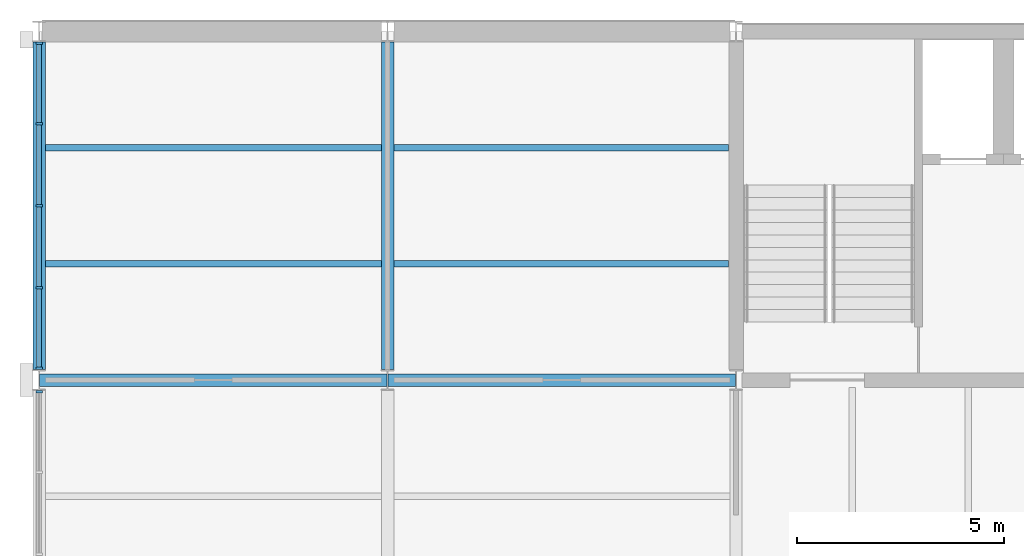
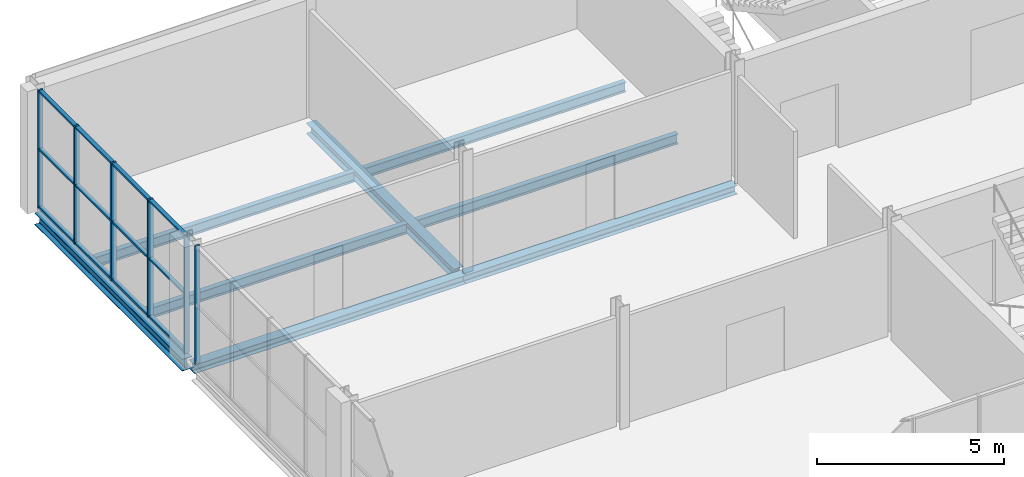
# One storey, part 5 of 12: 18 members, 8 beams, 2 elements without a shape of their own.
"""IFC4 building model written with IfcOpenShell, lengths in metres."""

from ifc_helpers import new_model, si_unit, direction, frame, origin, origin_2d, place, context, subcontext, project, spatial, rectangle, i_section, extrude, material, layer, layer_set, material_profile, profile_set, type_object, element, aggregate, save


model = new_model("IFC4")

# Units and contexts
model_context = context("Model", 3, precision=1e-05, world=origin(), true_north=direction((0.0, 1.0)))
body_context = subcontext(model_context, "Body", "Model", "MODEL_VIEW")
ifc_project = project(units=[si_unit("LENGTHUNIT", "METRE"), si_unit("AREAUNIT", "SQUARE_METRE"), si_unit("VOLUMEUNIT", "CUBIC_METRE"), si_unit("PLANEANGLEUNIT", "RADIAN"), si_unit("MASSUNIT", "GRAM", prefix="KILO")], contexts=[model_context])

# Site, building, storey
site_placement = place(None, origin())
site = spatial("IfcSite", under=ifc_project, at=site_placement, CompositionType="ELEMENT")
building_placement = place(site_placement, origin())
building = spatial("IfcBuilding", under=site, at=building_placement, Name="Galleria Vessillo Department Store", CompositionType="ELEMENT")
storey_placement = place(building_placement, frame((0.0, 0.0, 39.60009765625)))
storey = spatial("IfcBuildingStorey", under=building, at=storey_placement, Name="L08", CompositionType="ELEMENT", Elevation=39.60009765625)

# Curtain wall, member
ifc_material_1 = material(Name="Aluminium and glass curtain wall", Category="aluminium")
ifc_layer = layer(ifc_material_1, 0.159912109375)
ifc_layer_set = layer_set([ifc_layer], Name="Aluminium and glass curtain wall")
curtain_wall_type = type_object("IfcCurtainWallType", Name="Tower curtain wall CW4 2100 module", PredefinedType="NOTDEFINED", material=ifc_layer_set)
curtain_wall_1_placement = place(storey_placement, origin())
curtain_wall_1 = element("IfcCurtainWall", 1, at=curtain_wall_1_placement, inside=storey, type_object=curtain_wall_type, Name="Tower curtain wall CW4 2100 module TW-L08-02", PredefinedType="NOTDEFINED")
ifc_material_2 = material(Name="Aluminium alloy 6063 T6", Category="aluminium")
ifc_material_profile_1 = material_profile(ifc_material_2, rectangle(XDim=0.159912109375, YDim=0.06005859375, at=origin_2d()), Name="AL 60x160")
ifc_profile_set_1 = profile_set([ifc_material_profile_1], Name="Aluminium alloy 6063 T6")
member_type_1 = type_object("IfcMemberType", Name="Aluminium mullion 60 x 160", PredefinedType="MULLION", material=ifc_profile_set_1)
member_1_placement = place(storey_placement, frame((84.0, 54.320068359375, 0.0), z_axis=(0.0, 0.0, 1.0), x_axis=(-1.0, 0.0, 0.0)))
member_1 = element("IfcMember", 2, at=member_1_placement, type_object=member_type_1, Name="CW4 mullion 5", PredefinedType="MULLION", context=body_context, shape_type="SweptSolid", body=[
    extrude(rectangle(XDim=0.159912109375, YDim=0.06005859375, at=origin_2d()), origin(), (0.0, 0.0, 1.0), 3.85009765625),
])
aggregate(curtain_wall_1, [member_1])

# Curtain wall, members
curtain_wall_2_placement = place(storey_placement, origin())
curtain_wall_2 = element("IfcCurtainWall", 3, at=curtain_wall_2_placement, inside=storey, type_object=curtain_wall_type, Name="Tower curtain wall CW4 2100 module TW-L08-03", PredefinedType="NOTDEFINED")
member_2_placement = place(storey_placement, frame((84.0, 54.880126953125, 0.0), z_axis=(0.0, 0.0, 1.0), x_axis=(-1.0, 0.0, 0.0)))
member_2 = element("IfcMember", 4, at=member_2_placement, type_object=member_type_1, Name="CW4 mullion 1", PredefinedType="MULLION", context=body_context, shape_type="SweptSolid", body=[
    extrude(rectangle(XDim=0.159912109375, YDim=0.06005859375, at=origin_2d()), origin(), (0.0, 0.0, 1.0), 3.85009765625),
])
member_3_placement = place(storey_placement, frame((84.0, 56.824951171875, 0.0), z_axis=(0.0, 0.0, 1.0), x_axis=(-1.0, 0.0, 0.0)))
member_3 = element("IfcMember", 5, at=member_3_placement, type_object=member_type_1, Name="CW4 mullion 2", PredefinedType="MULLION", context=body_context, shape_type="SweptSolid", body=[
    extrude(rectangle(XDim=0.159912109375, YDim=0.06005859375, at=origin_2d()), origin(), (0.0, 0.0, 1.0), 3.85009765625),
])
member_4_placement = place(storey_placement, frame((84.0, 58.800048828125, 0.0), z_axis=(0.0, 0.0, 1.0), x_axis=(-1.0, 0.0, 0.0)))
member_4 = element("IfcMember", 6, at=member_4_placement, type_object=member_type_1, Name="CW4 mullion 3", PredefinedType="MULLION", context=body_context, shape_type="SweptSolid", body=[
    extrude(rectangle(XDim=0.159912109375, YDim=0.06005859375, at=origin_2d()), origin(), (0.0, 0.0, 1.0), 3.85009765625),
])
member_5_placement = place(storey_placement, frame((84.0, 60.77490234375, 0.0), z_axis=(0.0, 0.0, 1.0), x_axis=(-1.0, 0.0, 0.0)))
member_5 = element("IfcMember", 7, at=member_5_placement, type_object=member_type_1, Name="CW4 mullion 4", PredefinedType="MULLION", context=body_context, shape_type="SweptSolid", body=[
    extrude(rectangle(XDim=0.159912109375, YDim=0.06005859375, at=origin_2d()), origin(), (0.0, 0.0, 1.0), 3.85009765625),
])
member_6_placement = place(storey_placement, frame((84.0, 62.719970703125, 0.0), z_axis=(0.0, 0.0, 1.0), x_axis=(-1.0, 0.0, 0.0)))
member_6 = element("IfcMember", 8, at=member_6_placement, type_object=member_type_1, Name="CW4 mullion 5", PredefinedType="MULLION", context=body_context, shape_type="SweptSolid", body=[
    extrude(rectangle(XDim=0.159912109375, YDim=0.06005859375, at=origin_2d()), origin(), (0.0, 0.0, 1.0), 3.85009765625),
])
ifc_material_3 = material(Name="Aluminium alloy 6063 T6", Category="aluminium")
ifc_material_profile_2 = material_profile(ifc_material_3, rectangle(XDim=0.1201171875, YDim=0.06005859375, at=origin_2d()), Name="AL 60x120")
ifc_profile_set_2 = profile_set([ifc_material_profile_2], Name="Aluminium alloy 6063 T6")
member_type_2 = type_object("IfcMemberType", Name="Aluminium transom 60 x 120", PredefinedType="USERDEFINED", material=ifc_profile_set_2)
member_7_placement = place(storey_placement, frame((84.0, 54.91015625, 0.030029296875), z_axis=(0.0, 1.0, 0.0), x_axis=(-1.0, 0.0, 0.0)))
member_7 = element("IfcMember", 9, at=member_7_placement, type_object=member_type_2, Name="CW4 transom 1.1", ObjectType="TRANSOM", PredefinedType="USERDEFINED", context=body_context, shape_type="SweptSolid", body=[
    extrude(rectangle(XDim=0.1201171875, YDim=0.06005859375, at=origin_2d()), origin(), (0.0, 0.0, 1.0), 1.885009765625),
])
member_8_placement = place(storey_placement, frame((84.0, 54.91015625, 1.925048828125), z_axis=(0.0, 1.0, 0.0), x_axis=(-1.0, 0.0, 0.0)))
member_8 = element("IfcMember", 10, at=member_8_placement, type_object=member_type_2, Name="CW4 transom 1.2", ObjectType="TRANSOM", PredefinedType="USERDEFINED", context=body_context, shape_type="SweptSolid", body=[
    extrude(rectangle(XDim=0.1201171875, YDim=0.06005859375, at=origin_2d()), origin(), (0.0, 0.0, 1.0), 1.885009765625),
])
member_9_placement = place(storey_placement, frame((84.0, 54.91015625, 3.820068359375), z_axis=(0.0, 1.0, 0.0), x_axis=(-1.0, 0.0, 0.0)))
member_9 = element("IfcMember", 11, at=member_9_placement, type_object=member_type_2, Name="CW4 transom 1.3", ObjectType="TRANSOM", PredefinedType="USERDEFINED", context=body_context, shape_type="SweptSolid", body=[
    extrude(rectangle(XDim=0.1201171875, YDim=0.06005859375, at=origin_2d()), origin(), (0.0, 0.0, 1.0), 1.885009765625),
])
member_10_placement = place(storey_placement, frame((84.0, 56.85498046875, 0.030029296875), z_axis=(0.0, 1.0, 0.0), x_axis=(-1.0, 0.0, 0.0)))
member_10 = element("IfcMember", 12, at=member_10_placement, type_object=member_type_2, Name="CW4 transom 2.1", ObjectType="TRANSOM", PredefinedType="USERDEFINED", context=body_context, shape_type="SweptSolid", body=[
    extrude(rectangle(XDim=0.1201171875, YDim=0.06005859375, at=origin_2d()), origin(), (0.0, 0.0, 1.0), 1.9150390625),
])
member_11_placement = place(storey_placement, frame((84.0, 56.85498046875, 1.925048828125), z_axis=(0.0, 1.0, 0.0), x_axis=(-1.0, 0.0, 0.0)))
member_11 = element("IfcMember", 13, at=member_11_placement, type_object=member_type_2, Name="CW4 transom 2.2", ObjectType="TRANSOM", PredefinedType="USERDEFINED", context=body_context, shape_type="SweptSolid", body=[
    extrude(rectangle(XDim=0.1201171875, YDim=0.06005859375, at=origin_2d()), origin(), (0.0, 0.0, 1.0), 1.9150390625),
])
member_12_placement = place(storey_placement, frame((84.0, 56.85498046875, 3.820068359375), z_axis=(0.0, 1.0, 0.0), x_axis=(-1.0, 0.0, 0.0)))
member_12 = element("IfcMember", 14, at=member_12_placement, type_object=member_type_2, Name="CW4 transom 2.3", ObjectType="TRANSOM", PredefinedType="USERDEFINED", context=body_context, shape_type="SweptSolid", body=[
    extrude(rectangle(XDim=0.1201171875, YDim=0.06005859375, at=origin_2d()), origin(), (0.0, 0.0, 1.0), 1.9150390625),
])
member_13_placement = place(storey_placement, frame((84.0, 58.830078125, 0.030029296875), z_axis=(0.0, 1.0, 0.0), x_axis=(-1.0, 0.0, 0.0)))
member_13 = element("IfcMember", 15, at=member_13_placement, type_object=member_type_2, Name="CW4 transom 3.1", ObjectType="TRANSOM", PredefinedType="USERDEFINED", context=body_context, shape_type="SweptSolid", body=[
    extrude(rectangle(XDim=0.1201171875, YDim=0.06005859375, at=origin_2d()), origin(), (0.0, 0.0, 1.0), 1.9150390625),
])
member_14_placement = place(storey_placement, frame((84.0, 58.830078125, 1.925048828125), z_axis=(0.0, 1.0, 0.0), x_axis=(-1.0, 0.0, 0.0)))
member_14 = element("IfcMember", 16, at=member_14_placement, type_object=member_type_2, Name="CW4 transom 3.2", ObjectType="TRANSOM", PredefinedType="USERDEFINED", context=body_context, shape_type="SweptSolid", body=[
    extrude(rectangle(XDim=0.1201171875, YDim=0.06005859375, at=origin_2d()), origin(), (0.0, 0.0, 1.0), 1.9150390625),
])
member_15_placement = place(storey_placement, frame((84.0, 58.830078125, 3.820068359375), z_axis=(0.0, 1.0, 0.0), x_axis=(-1.0, 0.0, 0.0)))
member_15 = element("IfcMember", 17, at=member_15_placement, type_object=member_type_2, Name="CW4 transom 3.3", ObjectType="TRANSOM", PredefinedType="USERDEFINED", context=body_context, shape_type="SweptSolid", body=[
    extrude(rectangle(XDim=0.1201171875, YDim=0.06005859375, at=origin_2d()), origin(), (0.0, 0.0, 1.0), 1.9150390625),
])
member_16_placement = place(storey_placement, frame((84.0, 60.804931640625, 0.030029296875), z_axis=(0.0, 1.0, 0.0), x_axis=(-1.0, 0.0, 0.0)))
member_16 = element("IfcMember", 18, at=member_16_placement, type_object=member_type_2, Name="CW4 transom 4.1", ObjectType="TRANSOM", PredefinedType="USERDEFINED", context=body_context, shape_type="SweptSolid", body=[
    extrude(rectangle(XDim=0.1201171875, YDim=0.06005859375, at=origin_2d()), origin(), (0.0, 0.0, 1.0), 1.885009765625),
])
member_17_placement = place(storey_placement, frame((84.0, 60.804931640625, 1.925048828125), z_axis=(0.0, 1.0, 0.0), x_axis=(-1.0, 0.0, 0.0)))
member_17 = element("IfcMember", 19, at=member_17_placement, type_object=member_type_2, Name="CW4 transom 4.2", ObjectType="TRANSOM", PredefinedType="USERDEFINED", context=body_context, shape_type="SweptSolid", body=[
    extrude(rectangle(XDim=0.1201171875, YDim=0.06005859375, at=origin_2d()), origin(), (0.0, 0.0, 1.0), 1.885009765625),
])
member_18_placement = place(storey_placement, frame((84.0, 60.804931640625, 3.820068359375), z_axis=(0.0, 1.0, 0.0), x_axis=(-1.0, 0.0, 0.0)))
member_18 = element("IfcMember", 20, at=member_18_placement, type_object=member_type_2, Name="CW4 transom 4.3", ObjectType="TRANSOM", PredefinedType="USERDEFINED", context=body_context, shape_type="SweptSolid", body=[
    extrude(rectangle(XDim=0.1201171875, YDim=0.06005859375, at=origin_2d()), origin(), (0.0, 0.0, 1.0), 1.885009765625),
])
aggregate(curtain_wall_2, [member_2, member_3, member_4, member_5, member_6, member_7, member_8, member_9, member_10, member_11, member_12, member_13, member_14, member_15, member_16, member_17, member_18])

# Beams
ifc_material_4 = material(Name="Steel S355 J2", Category="steel")
ifc_material_profile_3 = material_profile(ifc_material_4, i_section(OverallWidth=0.300048828125, OverallDepth=0.35009765625, WebThickness=0.010009765625, FlangeThickness=0.017578125, FilletRadius=0.027099609375, at=origin_2d()), Name="HEA 360")
ifc_profile_set_3 = profile_set([ifc_material_profile_3], Name="Steel S355 J2")
beam_type_1 = type_object("IfcBeamType", Name="Floor girder HEA 360", PredefinedType="BEAM", material=ifc_profile_set_3)
beam_1_placement = place(storey_placement, frame((92.39990234375, 54.85009765625, -0.324951171875), z_axis=(0.0, 1.0, 0.0), x_axis=(-1.0, 0.0, 0.0)))
element("IfcBeam", 21, at=beam_1_placement, inside=storey, type_object=beam_type_1, Name="S-BM-L08-GI-y92400-54850", PredefinedType="BEAM", context=body_context, shape_type="SweptSolid", body=[
    extrude(i_section(OverallWidth=0.300048828125, OverallDepth=0.35009765625, WebThickness=0.010009765625, FlangeThickness=0.017578125, FilletRadius=0.027099609375, at=origin_2d()), origin(), (0.0, 0.0, 1.0), 7.899658203125),
])
ifc_material_5 = material(Name="Steel S355 J2", Category="steel")
ifc_material_profile_4 = material_profile(ifc_material_5, i_section(OverallWidth=0.159912109375, OverallDepth=0.330078125, WebThickness=0.007568359375, FlangeThickness=0.011474609375, FilletRadius=0.01806640625, at=origin_2d()), Name="IPE 330")
ifc_profile_set_4 = profile_set([ifc_material_profile_4], Name="Steel S355 J2")
beam_type_2 = type_object("IfcBeamType", Name="Floor joist IPE 330", PredefinedType="JOIST", material=ifc_profile_set_4)
for number, where, z_axis, x_axis, name in (
    (22, (84.150146484375, 57.39990234375, -0.31494140625), (1.0, 0.0, 0.0), (0.0, 1.0, 0.0), "S-BM-L08-JO-x57400-84150"),
    (23, (84.150146484375, 60.199951171875, -0.31494140625), (1.0, 0.0, 0.0), (0.0, 1.0, 0.0), "S-BM-L08-JO-x60200-84150"),
):
    element("IfcBeam", number, at=place(storey_placement, frame(where, z_axis=z_axis, x_axis=x_axis)), inside=storey, type_object=beam_type_2, Name=name, PredefinedType="JOIST", context=body_context, shape_type="SweptSolid", body=[
        extrude(i_section(OverallWidth=0.159912109375, OverallDepth=0.330078125, WebThickness=0.007568359375, FlangeThickness=0.011474609375, FilletRadius=0.01806640625, at=origin_2d()), origin(), (0.0, 0.0, 1.0), 8.099609375),
    ])
for number, where, z_axis, x_axis, name in (
    (24, (92.550048828125, 57.39990234375, -0.31494140625), (1.0, 0.0, 0.0), (0.0, 1.0, 0.0), "S-BM-L08-JO-x57400-92550"),
    (25, (92.550048828125, 60.199951171875, -0.31494140625), (1.0, 0.0, 0.0), (0.0, 1.0, 0.0), "S-BM-L08-JO-x60200-92550"),
):
    element("IfcBeam", number, at=place(storey_placement, frame(where, z_axis=z_axis, x_axis=x_axis)), inside=storey, type_object=beam_type_2, Name=name, PredefinedType="JOIST", context=body_context, shape_type="SweptSolid", body=[
        extrude(i_section(OverallWidth=0.159912109375, OverallDepth=0.330078125, WebThickness=0.007568359375, FlangeThickness=0.011474609375, FilletRadius=0.01806640625, at=origin_2d()), origin(), (0.0, 0.0, 1.0), 8.07470703125),
    ])
ifc_material_6 = material(Name="Steel S355 J2", Category="steel")
ifc_material_profile_5 = material_profile(ifc_material_6, i_section(OverallWidth=0.300048828125, OverallDepth=0.2900390625, WebThickness=0.008544921875, FlangeThickness=0.013916015625, FilletRadius=0.027099609375, at=origin_2d()), Name="HEA 300")
ifc_profile_set_5 = profile_set([ifc_material_profile_5], Name="Steel S355 J2")
beam_type_3 = type_object("IfcBeamType", Name="Floor tie girder HEA 300", PredefinedType="BEAM", material=ifc_profile_set_5)
for number, where, z_axis, x_axis, name in (
    (26, (84.00732421875, 54.60009765625, -0.294921875), (1.0, 0.0, 0.0), (0.0, 1.0, 0.0), "S-BM-L08-TI-x54600-84007"),
    (27, (92.407470703125, 54.60009765625, -0.294921875), (1.0, 0.0, 0.0), (0.0, 1.0, 0.0), "S-BM-L08-TI-x54600-92407"),
):
    element("IfcBeam", number, at=place(storey_placement, frame(where, z_axis=z_axis, x_axis=x_axis)), inside=storey, type_object=beam_type_3, Name=name, PredefinedType="BEAM", context=body_context, shape_type="SweptSolid", body=[
        extrude(i_section(OverallWidth=0.300048828125, OverallDepth=0.2900390625, WebThickness=0.008544921875, FlangeThickness=0.013916015625, FilletRadius=0.027099609375, at=origin_2d()), origin(), (0.0, 0.0, 1.0), 8.38525390625),
    ])
ifc_material_7 = material(Name="Steel S355 J2", Category="steel")
ifc_material_profile_6 = material_profile(ifc_material_7, i_section(OverallWidth=0.300048828125, OverallDepth=0.389892578125, WebThickness=0.010986328125, FlangeThickness=0.01904296875, FilletRadius=0.027099609375, at=origin_2d()), Name="HEA 400")
ifc_profile_set_6 = profile_set([ifc_material_profile_6], Name="Steel S355 J2")
beam_type_4 = type_object("IfcBeamType", Name="Trimmer beam HEA 400", PredefinedType="BEAM", material=ifc_profile_set_6)
beam_2_placement = place(storey_placement, frame((84.0, 54.85009765625, -0.344970703125), z_axis=(0.0, 1.0, 0.0), x_axis=(-1.0, 0.0, 0.0)))
element("IfcBeam", 28, at=beam_2_placement, inside=storey, type_object=beam_type_4, Name="S-BM-L08-TR-y84000-54850", PredefinedType="BEAM", context=body_context, shape_type="SweptSolid", body=[
    extrude(i_section(OverallWidth=0.300048828125, OverallDepth=0.389892578125, WebThickness=0.010986328125, FlangeThickness=0.01904296875, FilletRadius=0.027099609375, at=origin_2d()), origin(), (0.0, 0.0, 1.0), 7.899658203125),
])

save(model, "model.ifc")
